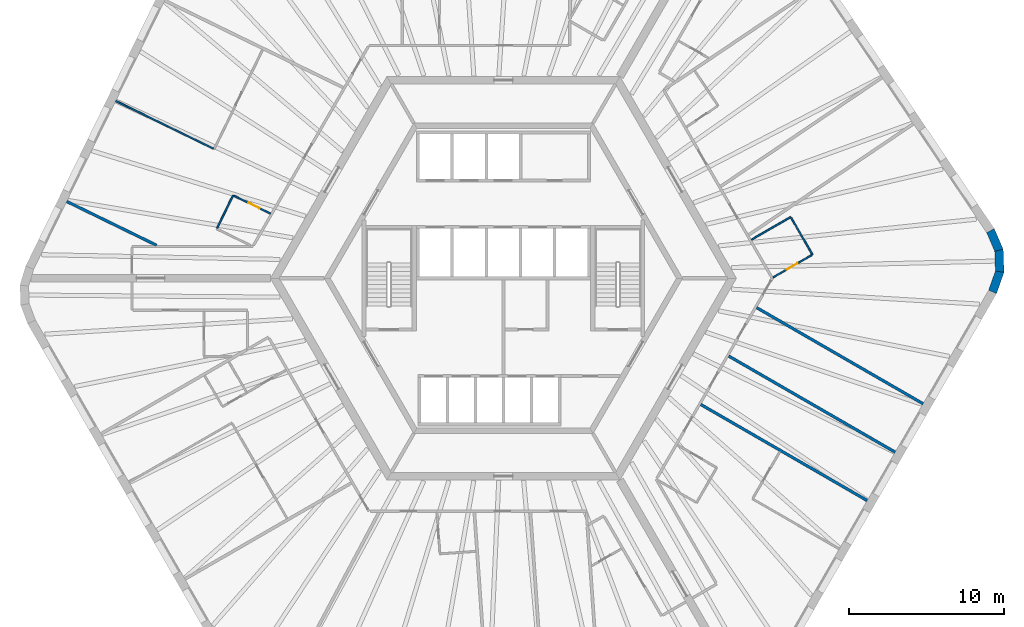
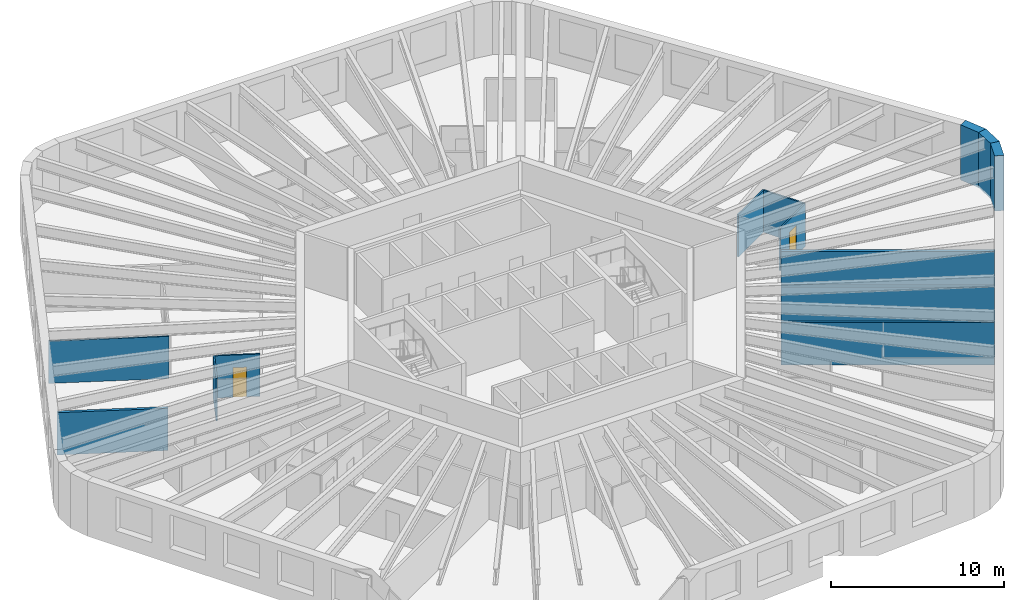
# One storey, part 6 of 10: 13 walls, 2 doors, 2 openings.
"""IFC4 building model written with IfcOpenShell, lengths in metres."""

from ifc_helpers import new_model, si_unit, direction, frame, frame_2d, origin, place, context, subcontext, project, spatial, polyline, rectangle, outline, extrude, material, layer, layer_set, type_object, element, fill, save


model = new_model("IFC4")

# Units and contexts
model_context = context("Model", 3, precision=1e-05, world=origin(), true_north=direction((0.0, 1.0)))
body_context = subcontext(model_context, "Body", "Model", "MODEL_VIEW")
ifc_project = project(units=[si_unit("LENGTHUNIT", "METRE"), si_unit("AREAUNIT", "SQUARE_METRE"), si_unit("VOLUMEUNIT", "CUBIC_METRE"), si_unit("PLANEANGLEUNIT", "RADIAN"), si_unit("MASSUNIT", "GRAM", prefix="KILO")], contexts=[model_context])

# Site, building, storey
site_placement = place(None, origin())
site = spatial("IfcSite", under=ifc_project, at=site_placement, CompositionType="ELEMENT")
building_placement = place(site_placement, origin())
building = spatial("IfcBuilding", under=site, at=building_placement, Name="Tarnside Tower", CompositionType="ELEMENT")
storey_placement = place(building_placement, frame((0.0, 0.0, 199.5)))
storey = spatial("IfcBuildingStorey", under=building, at=storey_placement, Name="L47", CompositionType="ELEMENT", Elevation=199.5)

# Wall
ifc_material_1 = material(Name="Gypsum board partition on steel studs", Category="steel")
ifc_layer_1 = layer(ifc_material_1, 0.10009765625)
ifc_layer_set_1 = layer_set([ifc_layer_1], Name="Bathroom wall 100")
wall_type_1 = type_object("IfcWallType", Name="Bathroom wall 100", PredefinedType="PARTITIONING", material=ifc_layer_set_1)
wall_1_placement = place(storey_placement, frame((-18.442138671875, 3.22998046875, 0.0), z_axis=(0.0, 0.0, 1.0), x_axis=(0.438339704034, 0.898809381275, 0.0)))
element("IfcWall", 1, at=wall_1_placement, inside=storey, type_object=wall_type_1, Name="Bathroom wall 15066", PredefinedType="PARTITIONING", context=body_context, shape_type="SweptSolid", body=[
    extrude(rectangle(XDim=2.349853515625, YDim=0.10009765625, at=frame_2d((1.1748046875, 0.0))), origin(), (0.0, 0.0, 1.0), 2.98779296875),
])

# Wall, opening, door
wall_2_placement = place(storey_placement, frame((-17.3671875, 5.3203125, 0.0), z_axis=(0.0, 0.0, 1.0), x_axis=(0.898798752769, -0.438361496965, 0.0)))
wall_2 = element("IfcWall", 2, at=wall_2_placement, inside=storey, type_object=wall_type_1, Name="Bathroom wall 15067", PredefinedType="PARTITIONING", context=body_context, shape_type="SweptSolid", body=[
    extrude(rectangle(XDim=2.632080078125, YDim=0.10009765625, at=frame_2d((1.31591796875, 0.0))), origin(), (0.0, 0.0, 1.0), 2.98779296875),
])
opening_1_placement = place(wall_2_placement, frame((1.050048828125, 0.0, 0.0)))
opening_1 = element("IfcOpeningElement", 3, at=opening_1_placement, cuts=wall_2, Name="Opening D-B1", PredefinedType="OPENING", context=body_context, shape_type="SweptSolid", body=[
    extrude(rectangle(XDim=0.800048828125, YDim=2.10009765625, at=frame_2d((0.39990234375, 1.050048828125))), frame((0.0, 0.06005859375, 0.0), z_axis=(0.0, -1.0, 0.0), x_axis=(1.0, 0.0, 0.0)), (0.0, 0.0, 1.0), 0.1201171875),
])
ifc_material_2 = material(Name="Timber door leaf", Category="wood")
door_type = type_object("IfcDoorType", Name="Bathroom door 800", OperationType="NOTDEFINED", PredefinedType="DOOR", material=ifc_material_2)
door_1_placement = place(opening_1_placement, origin())
door_1 = element("IfcDoor", 4, at=door_1_placement, inside=storey, type_object=door_type, Name="Bathroom door 15009", OperationType="SINGLE_SWING_LEFT", OverallHeight=2.10009765625, OverallWidth=0.800048828125, PredefinedType="DOOR", context=body_context, shape_type="SweptSolid", body=[
    extrude(rectangle(XDim=0.800048828125, YDim=2.10009765625, at=frame_2d((0.39990234375, 1.050048828125))), frame((0.0, 0.02490234375, 0.0), z_axis=(0.0, -1.0, 0.0), x_axis=(1.0, 0.0, 0.0)), (0.0, 0.0, 1.0), 0.050048828125),
])
fill(opening_1, door_1)

# Walls
wall_3_placement = place(storey_placement, frame((15.972900390625, 2.484375, 0.0), z_axis=(0.0, 0.0, 1.0), x_axis=(0.866025730634, 0.499999433879, 0.0)))
element("IfcWall", 5, at=wall_3_placement, inside=storey, type_object=wall_type_1, Name="Bathroom wall 15103", PredefinedType="PARTITIONING", context=body_context, shape_type="SweptSolid", body=[
    extrude(rectangle(XDim=2.9248046875, YDim=0.10009765625, at=frame_2d((1.46240234375, 0.0))), origin(), (0.0, 0.0, 1.0), 2.98779296875),
])
wall_4_placement = place(storey_placement, frame((18.531005859375, 3.903564453125, 0.0), z_axis=(0.0, 0.0, 1.0), x_axis=(0.499996545922, -0.866027397988, 0.0)))
element("IfcWall", 6, at=wall_4_placement, inside=storey, type_object=wall_type_1, Name="Bathroom wall 15104", PredefinedType="PARTITIONING", context=body_context, shape_type="SweptSolid", body=[
    extrude(rectangle(XDim=2.75, YDim=0.10009765625, at=frame_2d((1.375, 0.0))), origin(), (0.0, 0.0, 1.0), 2.98779296875),
])

# Wall, opening, door
wall_5_placement = place(storey_placement, frame((19.862548828125, 1.496826171875, 0.0), z_axis=(0.0, 0.0, 1.0), x_axis=(-0.866018712932, -0.500011588718, 0.0)))
wall_5 = element("IfcWall", 7, at=wall_5_placement, inside=storey, type_object=wall_type_1, Name="Bathroom wall 15105", PredefinedType="PARTITIONING", context=body_context, shape_type="SweptSolid", body=[
    extrude(rectangle(XDim=2.875, YDim=0.10009765625, at=frame_2d((1.4375, 0.0))), origin(), (0.0, 0.0, 1.0), 2.98779296875),
])
opening_2_placement = place(wall_5_placement, frame((1.050048828125, 0.0, 0.0)))
opening_2 = element("IfcOpeningElement", 8, at=opening_2_placement, cuts=wall_5, Name="Opening D-B1", PredefinedType="OPENING", context=body_context, shape_type="SweptSolid", body=[
    extrude(rectangle(XDim=0.800048828125, YDim=2.10009765625, at=frame_2d((0.39990234375, 1.050048828125))), frame((0.0, 0.06005859375, 0.0), z_axis=(0.0, -1.0, 0.0), x_axis=(1.0, 0.0, 0.0)), (0.0, 0.0, 1.0), 0.1201171875),
])
door_2_placement = place(opening_2_placement, origin())
door_2 = element("IfcDoor", 9, at=door_2_placement, inside=storey, type_object=door_type, Name="Bathroom door 15031", OperationType="SINGLE_SWING_RIGHT", OverallHeight=2.10009765625, OverallWidth=0.800048828125, PredefinedType="DOOR", context=body_context, shape_type="SweptSolid", body=[
    extrude(rectangle(XDim=0.800048828125, YDim=2.10009765625, at=frame_2d((0.39990234375, 1.050048828125))), frame((0.0, 0.02490234375, 0.0), z_axis=(0.0, -1.0, 0.0), x_axis=(1.0, 0.0, 0.0)), (0.0, 0.0, 1.0), 0.050048828125),
])
fill(opening_2, door_2)

# Walls
ifc_layer_2 = layer(ifc_material_1, 0.179931640625)
ifc_layer_set_2 = layer_set([ifc_layer_2], Name="Demising wall 180 EI 60")
wall_type_2 = type_object("IfcWallType", Name="Demising wall 180 EI 60", PredefinedType="PARTITIONING", material=ifc_layer_set_2)
wall_6_placement = place(storey_placement, frame((-28.127197265625, 4.948974609375, 0.0), z_axis=(0.0, 0.0, 1.0), x_axis=(0.898795032868, -0.438369124017, 0.0)))
element("IfcWall", 10, at=wall_6_placement, inside=storey, type_object=wall_type_2, Name="Demising wall 15070", PredefinedType="PARTITIONING", context=body_context, shape_type="SweptSolid", body=[
    extrude(rectangle(XDim=6.44189453125, YDim=0.179931640625, at=frame_2d((3.220947265625, 0.0))), origin(), (0.0, 0.0, 1.0), 2.98779296875),
])
wall_7_placement = place(storey_placement, frame((23.431396484375, -14.315673828125, 0.0), z_axis=(0.0, 0.0, 1.0), x_axis=(-0.866024931941, 0.500000817256, 0.0)))
element("IfcWall", 11, at=wall_7_placement, inside=storey, type_object=wall_type_2, Name="Demising wall 15099", PredefinedType="PARTITIONING", context=body_context, shape_type="SweptSolid", body=[
    extrude(rectangle(XDim=12.375, YDim=0.179931640625, at=frame_2d((6.1875, 0.0))), origin(), (0.0, 0.0, 1.0), 2.98779296875),
])
wall_8_placement = place(storey_placement, frame((25.2314453125, -11.197998046875, 0.0), z_axis=(0.0, 0.0, 1.0), x_axis=(-0.866029863972, 0.499992274648, 0.0)))
element("IfcWall", 12, at=wall_8_placement, inside=storey, type_object=wall_type_2, Name="Demising wall 15101", PredefinedType="PARTITIONING", context=body_context, shape_type="SweptSolid", body=[
    extrude(rectangle(XDim=12.375244140625, YDim=0.179931640625, at=frame_2d((6.1875, 0.0))), origin(), (0.0, 0.0, 1.0), 2.98779296875),
])
wall_9_placement = place(storey_placement, frame((27.03125, -8.080322265625, 0.0), z_axis=(0.0, 0.0, 1.0), x_axis=(-0.866024931941, 0.500000817256, 0.0)))
element("IfcWall", 13, at=wall_9_placement, inside=storey, type_object=wall_type_2, Name="Demising wall 15102", PredefinedType="PARTITIONING", context=body_context, shape_type="SweptSolid", body=[
    extrude(rectangle(XDim=12.375, YDim=0.179931640625, at=frame_2d((6.1875, 0.0))), origin(), (0.0, 0.0, 1.0), 2.98779296875),
])
ifc_layer_3 = layer(ifc_material_1, 0.10009765625)
ifc_layer_set_3 = layer_set([ifc_layer_3], Name="Partition 100")
wall_type_3 = type_object("IfcWallType", Name="Partition 100", PredefinedType="PARTITIONING", material=ifc_layer_set_3)
wall_10_placement = place(storey_placement, frame((-18.671875, 8.347900390625, 0.0), z_axis=(0.0, 0.0, 1.0), x_axis=(-0.898793888698, 0.438371469919, 0.0)))
element("IfcWall", 14, at=wall_10_placement, inside=storey, type_object=wall_type_3, Name="Partition wall 15069", PredefinedType="PARTITIONING", context=body_context, shape_type="SweptSolid", body=[
    extrude(rectangle(XDim=7.00830078125, YDim=0.10009765625, at=frame_2d((3.504150390625, 0.0))), origin(), (0.0, 0.0, 1.0), 2.98779296875),
])
ifc_material_3 = material(Name="Facing brick", Category="masonry")
ifc_layer_4 = layer(ifc_material_3, 0.10205078125)
ifc_material_4 = material(Name="Concrete C60/75 precast", Category="concrete")
ifc_layer_5 = layer(ifc_material_4, 0.347900390625)
ifc_material_5 = material(Name="Mineral wool insulation")
ifc_layer_6 = layer(ifc_material_5, 0.10009765625)
ifc_layer_set_4 = layer_set([ifc_layer_4, ifc_layer_5, ifc_layer_6], Name="Tube wall 550 brick faced")
wall_type_4 = type_object("IfcWallType", Name="Tube wall 550 brick faced", PredefinedType="SOLIDWALL", material=ifc_layer_set_4)
wall_11_placement = place(storey_placement, frame((31.509033203125, -0.874755859375, -0.14990234375), z_axis=(0.0, 0.0, 1.0), x_axis=(0.33111537203, 0.943590276765, 0.0)))
element("IfcWall", 15, at=wall_11_placement, inside=storey, type_object=wall_type_4, Name="Tube wall L47 F5 chord 17", PredefinedType="SOLIDWALL", context=body_context, shape_type="SweptSolid", body=[
    extrude(outline(polyline([(-0.025634765625, -0.27490234375), (1.4306640625, -0.27490234375), (1.3271484375, 0.27490234375), (0.025634765625, 0.27490234375), (-0.025634765625, -0.27490234375)])), origin(), (0.0, 0.0, 1.0), 3.89990234375),
])
wall_12_placement = place(storey_placement, frame((31.965576171875, 0.42626953125, -0.14990234375), z_axis=(0.0, 0.0, 1.0), x_axis=(-0.034876908462, 0.999391615562, 0.0)))
element("IfcWall", 16, at=wall_12_placement, inside=storey, type_object=wall_type_4, Name="Tube wall L47 F5 chord 18", PredefinedType="SOLIDWALL", context=body_context, shape_type="SweptSolid", body=[
    extrude(outline(polyline([(-0.0517578125, -0.27490234375), (1.4306640625, -0.27490234375), (1.3271484375, 0.27490234375), (0.0517578125, 0.27490234375), (-0.0517578125, -0.27490234375)])), origin(), (0.0, 0.0, 1.0), 3.89990234375),
])
wall_13_placement = place(storey_placement, frame((31.91748046875, 1.804443359375, -0.14990234375), z_axis=(0.0, 0.0, 1.0), x_axis=(-0.396225741392, 0.918153125496, 0.0)))
element("IfcWall", 17, at=wall_13_placement, inside=storey, type_object=wall_type_4, Name="Tube wall L47 F5 chord 19", PredefinedType="SOLIDWALL", context=body_context, shape_type="SweptSolid", body=[
    extrude(outline(polyline([(-0.0517578125, -0.27490234375), (1.404541015625, -0.27490234375), (1.353271484375, 0.27490234375), (0.0517578125, 0.27490234375), (-0.0517578125, -0.27490234375)])), origin(), (0.0, 0.0, 1.0), 3.89990234375),
])

save(model, "model.ifc")
